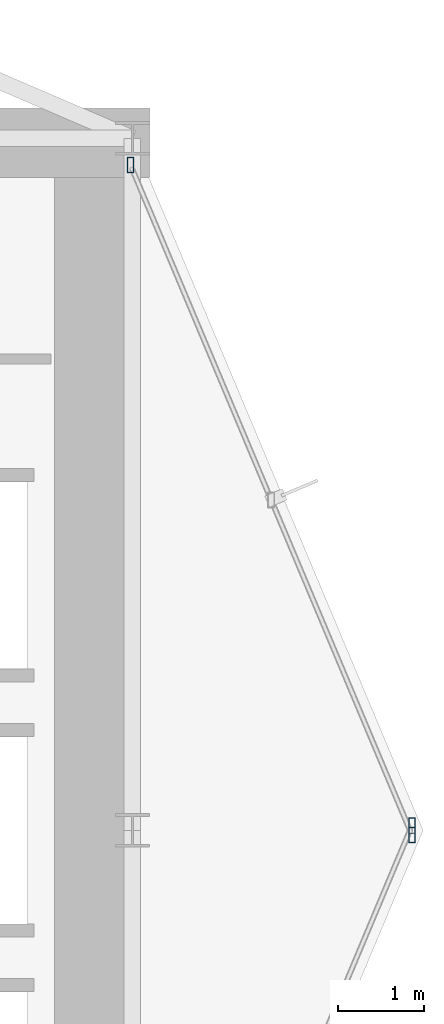
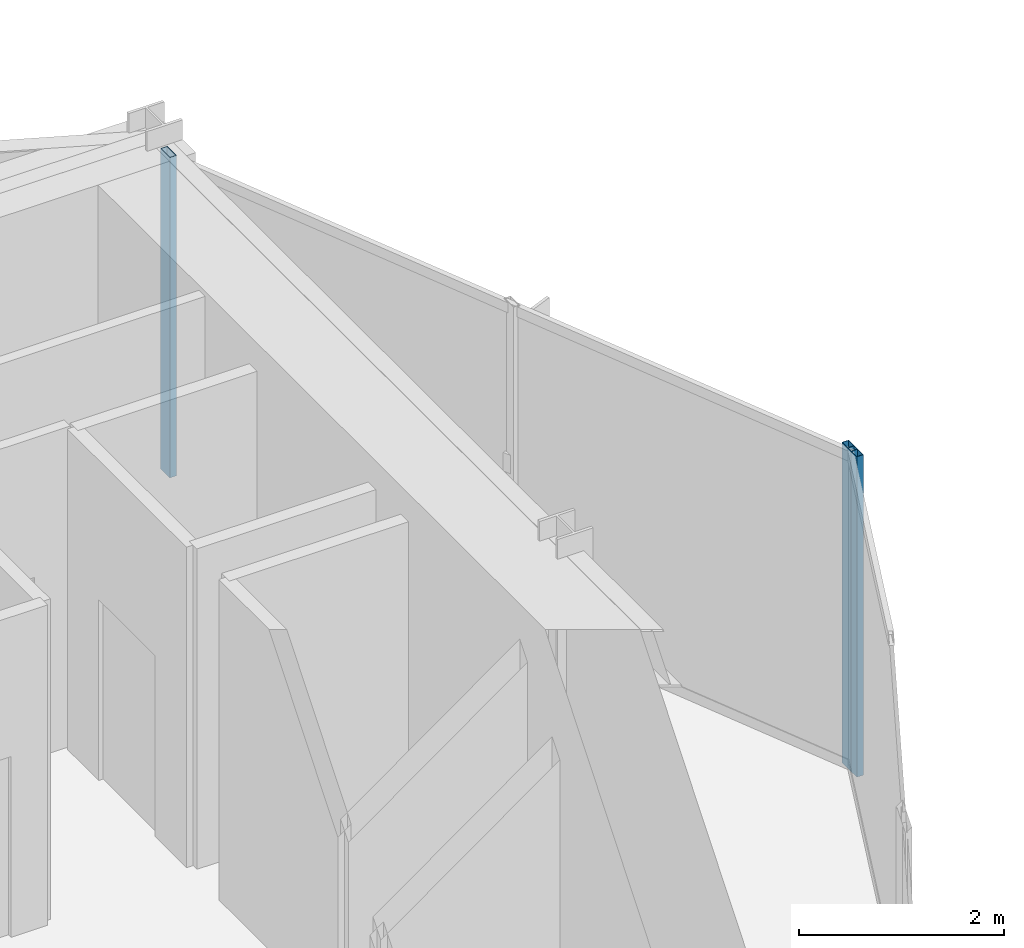
# One storey, part 17 of 25: 3 members, 2 elements without a shape of their own.
"""IFC4 building model written with IfcOpenShell, lengths in metres."""

from ifc_helpers import new_model, si_unit, direction, frame, origin, origin_2d, place, context, subcontext, project, spatial, hollow_rectangle, extrude, material, layer, layer_set, material_profile, profile_set, type_object, element, aggregate, save


model = new_model("IFC4")

# Units and contexts
model_context = context("Model", 3, precision=1e-05, world=origin(), true_north=direction((0.0, 1.0)))
body_context = subcontext(model_context, "Body", "Model", "MODEL_VIEW")
ifc_project = project(units=[si_unit("LENGTHUNIT", "METRE"), si_unit("AREAUNIT", "SQUARE_METRE"), si_unit("VOLUMEUNIT", "CUBIC_METRE"), si_unit("PLANEANGLEUNIT", "RADIAN"), si_unit("MASSUNIT", "GRAM", prefix="KILO")], contexts=[model_context])

# Site, building, storey
site_placement = place(None, origin())
site = spatial("IfcSite", under=ifc_project, at=site_placement, CompositionType="ELEMENT")
building_placement = place(site_placement, origin())
building = spatial("IfcBuilding", under=site, at=building_placement, Name="Veymaron Broadcast Tower", CompositionType="ELEMENT")
storey_placement = place(building_placement, frame((0.0, 0.0, 116.85009765625)))
storey = spatial("IfcBuildingStorey", under=building, at=storey_placement, Name="L26", CompositionType="ELEMENT", Elevation=116.85009765625)

# Curtain wall, member
ifc_material_1 = material(Name="Anodised aluminium AA 6063-T6 and laminated low-E dark glass", Category="aluminium")
ifc_layer = layer(ifc_material_1, 0.179931640625)
ifc_layer_set = layer_set([ifc_layer], Name="Anodised aluminium AA 6063-T6 and laminated low-E dark glass")
curtain_wall_type = type_object("IfcCurtainWallType", Name="CW-SYS-03", PredefinedType="NOTDEFINED", material=ifc_layer_set)
curtain_wall_1_placement = place(storey_placement, origin())
curtain_wall_1 = element("IfcCurtainWall", 1, at=curtain_wall_1_placement, inside=storey, type_object=curtain_wall_type, Name="L26 dark-glass curtain wall CW-L26-E2-1", PredefinedType="NOTDEFINED")
ifc_material_2 = material(Name="Anodised aluminium AA 6063-T6", Category="aluminium")
ifc_material_profile = material_profile(ifc_material_2, hollow_rectangle(XDim=0.074951171875, YDim=0.179931640625, WallThickness=0.0048828125, at=origin_2d()), Name="AL180X75X5")
ifc_profile_set = profile_set([ifc_material_profile], Name="Anodised aluminium AA 6063-T6")
member_type = type_object("IfcMemberType", Name="CW-MUL-02", PredefinedType="MULLION", material=ifc_profile_set)
member_1_placement = place(storey_placement, frame((57.830810546875, 24.05419921875, 0.0), z_axis=(0.0, 0.0, 1.0), x_axis=(1.0, 0.0, 0.0)))
member_1 = element("IfcMember", 2, at=member_1_placement, type_object=member_type, Name="CW-L26-E2-1 mullion 2", PredefinedType="MULLION", context=body_context, shape_type="SweptSolid", body=[
    extrude(hollow_rectangle(XDim=0.074951171875, YDim=0.179931640625, WallThickness=0.0048828125, at=origin_2d()), origin(), (0.0, 0.0, 1.0), 3.809814453125),
])
aggregate(curtain_wall_1, [member_1])

# Curtain wall, members
curtain_wall_2_placement = place(storey_placement, origin())
curtain_wall_2 = element("IfcCurtainWall", 3, at=curtain_wall_2_placement, inside=storey, type_object=curtain_wall_type, Name="L26 dark-glass curtain wall CW-L26-E3-1", PredefinedType="NOTDEFINED")
member_2_placement = place(storey_placement, frame((57.830810546875, 23.94580078125, 0.0), z_axis=(0.0, 0.0, 1.0), x_axis=(1.0, 0.0, 0.0)))
member_2 = element("IfcMember", 4, at=member_2_placement, type_object=member_type, Name="CW-L26-E3-1 mullion 0", PredefinedType="MULLION", context=body_context, shape_type="SweptSolid", body=[
    extrude(hollow_rectangle(XDim=0.074951171875, YDim=0.179931640625, WallThickness=0.0048828125, at=origin_2d()), origin(), (0.0, 0.0, 1.0), 3.809814453125),
])
member_3_placement = place(storey_placement, frame((54.576904296875, 31.693603515625, 0.0), z_axis=(0.0, 0.0, 1.0), x_axis=(1.0, 0.0, 0.0)))
member_3 = element("IfcMember", 5, at=member_3_placement, type_object=member_type, Name="CW-L26-E3-1 mullion 2", PredefinedType="MULLION", context=body_context, shape_type="SweptSolid", body=[
    extrude(hollow_rectangle(XDim=0.074951171875, YDim=0.179931640625, WallThickness=0.0048828125, at=origin_2d()), origin(), (0.0, 0.0, 1.0), 3.809814453125),
])
aggregate(curtain_wall_2, [member_2, member_3])

save(model, "model.ifc")
